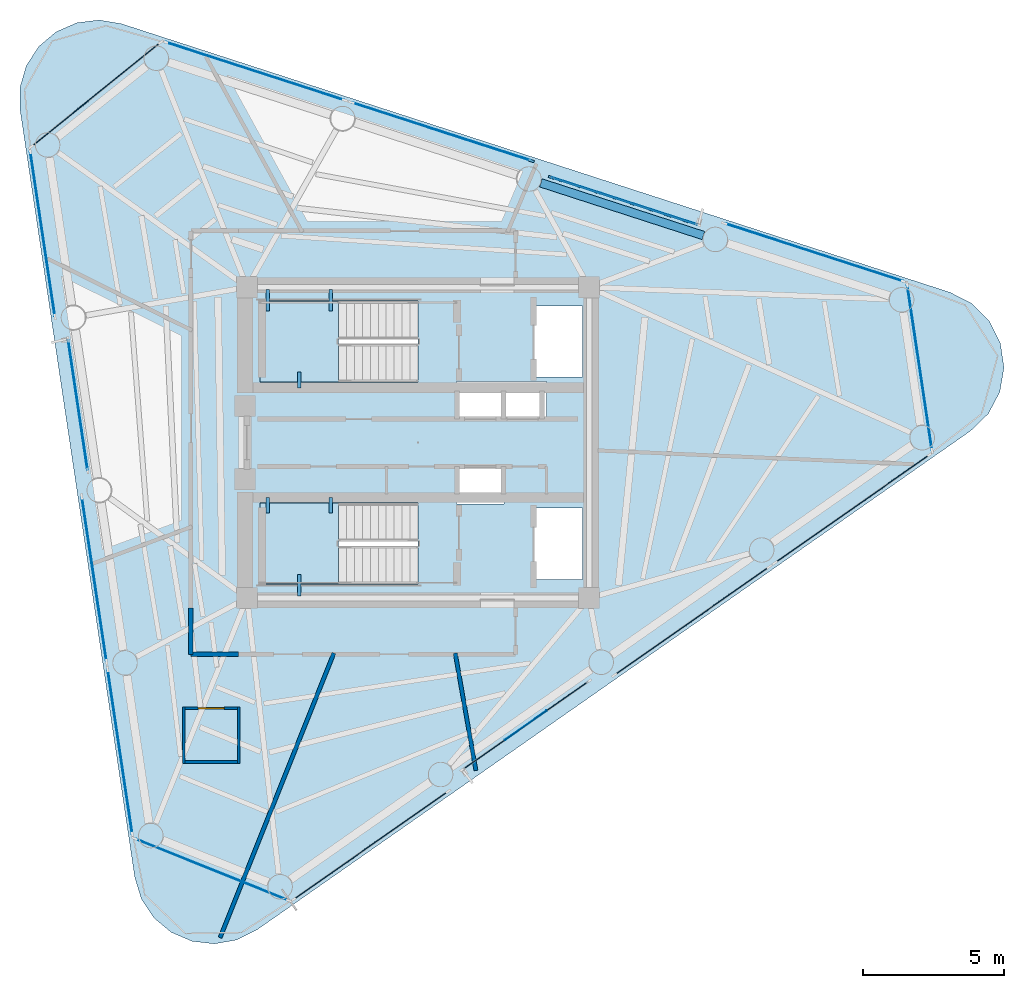
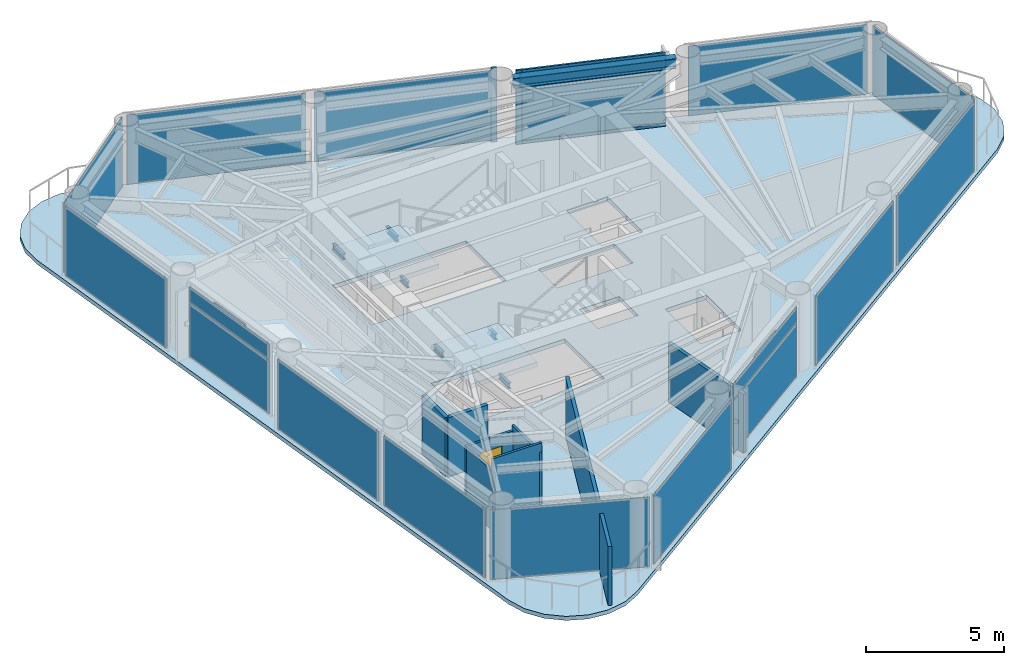
# One storey, part 4 of 9: 21 plates, 8 walls, 7 beams, 5 members, 3 slabs, 1 door, 1 opening, 17 elements without a shape of their own.
"""IFC4 building model written with IfcOpenShell, lengths in metres."""

from ifc_helpers import new_model, si_unit, direction, frame, frame_2d, origin, origin_2d, place, context, subcontext, project, spatial, polyline, rectangle, i_section, outline, extrude, source, transform, mapped, material, layer, layer_set, material_profile, profile_set, type_object, element, fill, aggregate, save


model = new_model("IFC4")

# Units and contexts
model_context = context("Model", 3, precision=1e-05, world=origin(), true_north=direction((0.0, 1.0)))
body_context = subcontext(model_context, "Body", "Model", "MODEL_VIEW")
ifc_project = project(units=[si_unit("LENGTHUNIT", "METRE"), si_unit("AREAUNIT", "SQUARE_METRE"), si_unit("VOLUMEUNIT", "CUBIC_METRE"), si_unit("PLANEANGLEUNIT", "RADIAN"), si_unit("MASSUNIT", "GRAM", prefix="KILO")], contexts=[model_context])

# Site, building, storey
site_placement = place(None, origin())
site = spatial("IfcSite", under=ifc_project, at=site_placement, CompositionType="ELEMENT")
building_placement = place(site_placement, origin())
building = spatial("IfcBuilding", under=site, at=building_placement, Name="Yunling Apex Tower", CompositionType="ELEMENT")
storey_placement = place(building_placement, frame((0.0, 0.0, 267.75)))
storey = spatial("IfcBuildingStorey", under=building, at=storey_placement, Name="L65", CompositionType="ELEMENT", Elevation=267.75)

# Beams
ifc_material_1 = material(Name="Steel Q355B", Category="steel")
ifc_material_profile_1 = material_profile(ifc_material_1, i_section(OverallWidth=0.125, OverallDepth=0.25, WebThickness=0.006103515625, FlangeThickness=0.009033203125, FilletRadius=0.011962890625, at=origin_2d()))
ifc_profile_set_1 = profile_set([ifc_material_profile_1], Name="Steel Q355B")
beam_type_1 = type_object("IfcBeamType", Name="BL-LNT-1", PredefinedType="LINTEL", material=ifc_profile_set_1)
shared_shape_1 = source(origin(), body_context, "Body", "SweptSolid", [
    extrude(i_section(OverallWidth=0.125, OverallDepth=0.25, WebThickness=0.006103515625, FlangeThickness=0.009033203125, FilletRadius=0.011962890625, at=origin_2d()), origin(), (0.0, 0.0, 1.0), 0.760009765625),
])
for number, where, z_axis, x_axis, name in (
    (1, (-5.320068359375, 5.419921875, 1.3798828125), (0.0, -1.0, 0.0), (1.0, 0.0, 0.0), "L65 ST-1 Landing Bearing Corbel 1-1"),
    (2, (-3.090087890625, 5.419921875, 1.3798828125), (0.0, -1.0, 0.0), (1.0, 0.0, 0.0), "L65 ST-1 Landing Bearing Corbel 1-2"),
    (3, (-4.205078125, -5.419921875, 1.3798828125), (0.0, 1.0, 0.0), (-1.0, 0.0, 0.0), "L65 ST-2 Landing Bearing Corbel 1-3"),
):
    element("IfcBeam", number, at=place(storey_placement, frame(where, z_axis=z_axis, x_axis=x_axis)), inside=storey, type_object=beam_type_1, Name=name, PredefinedType="LINTEL", context=body_context, shape_type="MappedRepresentation", body=[
        mapped(shared_shape_1, transform((0.0, 0.0, 0.0), scale=1.0)),
    ])
shared_shape_2 = source(origin(), body_context, "Body", "SweptSolid", [
    extrude(i_section(OverallWidth=0.125, OverallDepth=0.25, WebThickness=0.006103515625, FlangeThickness=0.009033203125, FilletRadius=0.011962890625, at=origin_2d()), origin(), (0.0, 0.0, 1.0), 0.550048828125),
])
for number, where, z_axis, x_axis, name in (
    (4, (-4.205078125, 1.93994140625, 1.3798828125), (0.0, 1.0, 0.0), (-1.0, 0.0, 0.0), "L65 ST-1 Landing Bearing Corbel 1-3"),
    (5, (-5.320068359375, -1.93994140625, 1.3798828125), (0.0, -1.0, 0.0), (1.0, 0.0, 0.0), "L65 ST-2 Landing Bearing Corbel 1-1"),
    (6, (-3.090087890625, -1.93994140625, 1.3798828125), (0.0, -1.0, 0.0), (1.0, 0.0, 0.0), "L65 ST-2 Landing Bearing Corbel 1-2"),
):
    element("IfcBeam", number, at=place(storey_placement, frame(where, z_axis=z_axis, x_axis=x_axis)), inside=storey, type_object=beam_type_1, Name=name, PredefinedType="LINTEL", context=body_context, shape_type="MappedRepresentation", body=[
        mapped(shared_shape_2, transform((0.0, 0.0, 0.0), scale=1.0)),
    ])
ifc_material_profile_2 = material_profile(ifc_material_1, i_section(OverallWidth=0.300048828125, OverallDepth=0.43994140625, WebThickness=0.010986328125, FlangeThickness=0.01806640625, FilletRadius=0.02197265625, at=origin_2d()))
ifc_profile_set_2 = profile_set([ifc_material_profile_2], Name="Steel Q355B")
beam_type_2 = type_object("IfcBeamType", Name="BP-SPN-3", PredefinedType="SPANDREL", material=ifc_profile_set_2)
shared_shape_3 = source(origin(), body_context, "Body", "SweptSolid", [
    extrude(i_section(OverallWidth=0.300048828125, OverallDepth=0.43994140625, WebThickness=0.010986328125, FlangeThickness=0.01806640625, FilletRadius=0.02197265625, at=origin_2d()), origin(), (0.0, 0.0, 1.0), 6.04345703125),
])
beam_placement = place(storey_placement, frame((10.09375, 7.326904296875, 3.0), z_axis=(-0.951272468705, 0.308351569289, 0.0), x_axis=(-0.308351569289, -0.951272468705, 0.0)))
element("IfcBeam", 7, at=beam_placement, inside=storey, type_object=beam_type_2, Name="L65 Perimeter Spandrel Beam 7", PredefinedType="SPANDREL", context=body_context, shape_type="MappedRepresentation", body=[
    mapped(shared_shape_3, transform((0.0, 0.0, 0.0), scale=1.0)),
])

# Curtain wall, member
ifc_material_2 = material(Name="Bronze anodised aluminium", Category="aluminium")
ifc_layer_1 = layer(ifc_material_2, 0.219970703125)
ifc_layer_set_1 = layer_set([ifc_layer_1], Name="Bronze anodised aluminium")
curtain_wall_type = type_object("IfcCurtainWallType", Name="CW-SYS-4", PredefinedType="NOTDEFINED", material=ifc_layer_set_1)
curtain_wall_1_placement = place(storey_placement, origin())
curtain_wall_1 = element("IfcCurtainWall", 8, at=curtain_wall_1_placement, inside=storey, type_object=curtain_wall_type, Name="CW-L65-F2-B2", PredefinedType="NOTDEFINED")
ifc_material_profile_3 = material_profile(ifc_material_2, rectangle(XDim=0.080078125, YDim=0.219970703125, at=origin_2d()))
ifc_profile_set_3 = profile_set([ifc_material_profile_3], Name="Bronze anodised aluminium")
member_type_1 = type_object("IfcMemberType", Name="CW-MUL-4", PredefinedType="MULLION", material=ifc_profile_set_3)
shared_shape_4 = source(origin(), body_context, "Body", "SweptSolid", [
    extrude(rectangle(XDim=0.080078125, YDim=0.219970703125, at=origin_2d()), origin(), (0.0, 0.0, 1.0), 3.320068359375),
])
member_1_placement = place(storey_placement, frame((4.71875, 9.384521484375, -0.050048828125), z_axis=(0.0, 0.0, 1.0), x_axis=(-0.30836941685, -0.951266683297, 0.0)))
member_1 = element("IfcMember", 9, at=member_1_placement, type_object=member_type_1, Name="CW-SYS-4 mullion 2", PredefinedType="MULLION", context=body_context, shape_type="MappedRepresentation", body=[
    mapped(shared_shape_4, transform((0.0, 0.0, 0.0), scale=1.0)),
])

curtain_wall_2_placement = place(storey_placement, origin())
curtain_wall_2 = element("IfcCurtainWall", 10, at=curtain_wall_2_placement, inside=storey, type_object=curtain_wall_type, Name="CW-L65-F2-B3", PredefinedType="NOTDEFINED")
member_2_placement = place(storey_placement, frame((4.00537109375, 9.97314453125, -0.050048828125), z_axis=(0.0, 0.0, 1.0), x_axis=(-0.308371076658, -0.95126614524, 0.0)))
member_2 = element("IfcMember", 11, at=member_2_placement, type_object=member_type_1, Name="CW-SYS-4 mullion 1", PredefinedType="MULLION", context=body_context, shape_type="MappedRepresentation", body=[
    mapped(shared_shape_4, transform((0.0, 0.0, 0.0), scale=1.0)),
])

# Member
ifc_material_profile_4 = material_profile(ifc_material_2, rectangle(XDim=0.080078125, YDim=0.169921875, at=origin_2d()))
ifc_profile_set_4 = profile_set([ifc_material_profile_4], Name="Bronze anodised aluminium")
member_type_2 = type_object("IfcMemberType", Name="CW-TRN-4", PredefinedType="USERDEFINED", material=ifc_profile_set_4)
shared_shape_5 = source(origin(), body_context, "Body", "SweptSolid", [
    extrude(rectangle(XDim=0.080078125, YDim=0.169921875, at=origin_2d()), origin(), (0.0, 0.0, 1.0), 5.3798828125),
])
member_3_placement = place(storey_placement, frame((9.87060546875, 7.71435546875, 0.0400390625), z_axis=(-0.951269238612, 0.308361534032, 0.0), x_axis=(-0.308361534032, -0.951269238612, 0.0)))
member_3 = element("IfcMember", 12, at=member_3_placement, type_object=member_type_2, Name="CW-SYS-4 transom 1.1", ObjectType="TRANSOM", PredefinedType="USERDEFINED", context=body_context, shape_type="MappedRepresentation", body=[
    mapped(shared_shape_5, transform((0.0, 0.0, 0.0), scale=1.0)),
])

member_4_placement = place(storey_placement, frame((9.87060546875, 7.71435546875, 2.447265625), z_axis=(-0.951269238612, 0.308361534032, 0.0), x_axis=(-0.308361534032, -0.951269238612, 0.0)))
member_4 = element("IfcMember", 13, at=member_4_placement, type_object=member_type_2, Name="CW-SYS-4 transom 1.2", ObjectType="TRANSOM", PredefinedType="USERDEFINED", context=body_context, shape_type="MappedRepresentation", body=[
    mapped(shared_shape_5, transform((0.0, 0.0, 0.0), scale=1.0)),
])

member_5_placement = place(storey_placement, frame((9.87060546875, 7.71435546875, 3.179931640625), z_axis=(-0.951269238612, 0.308361534032, 0.0), x_axis=(-0.308361534032, -0.951269238612, 0.0)))
member_5 = element("IfcMember", 14, at=member_5_placement, type_object=member_type_2, Name="CW-SYS-4 transom 1.3", ObjectType="TRANSOM", PredefinedType="USERDEFINED", context=body_context, shape_type="MappedRepresentation", body=[
    mapped(shared_shape_5, transform((0.0, 0.0, 0.0), scale=1.0)),
])

# Slab
ifc_material_3 = material(Name="Concrete C40", Category="concrete")
ifc_layer_2 = layer(ifc_material_3, 0.155029296875)
ifc_layer_set_2 = layer_set([ifc_layer_2], Name="Concrete C40")
slab_type_1 = type_object("IfcSlabType", Name="SL-FLR-3", PredefinedType="FLOOR", material=ifc_layer_set_2)
slab_1_placement = place(storey_placement, frame((0.0, 0.0, -0.179931640625)))
element("IfcSlab", 15, at=slab_1_placement, inside=storey, type_object=slab_type_1, Name="L65 Composite Tower Floor Slab", PredefinedType="FLOOR", context=body_context, shape_type="SweptSolid", body=[
    extrude(outline(polyline([(-10.026123046875, -15.378173828125), (-9.794189453125, -16.145263671875), (-9.352294921875, -16.81396484375), (-8.737548828125, -17.328125), (-8.001220703125, -17.64501953125), (-7.205078125, -17.7373046875), (-6.415771484375, -17.59814453125), (-5.69921875, -17.23876953125), (19.549072265625, 0.414306640625), (20.177490234375, 1.021728515625), (20.585205078125, 1.794921875), (20.731689453125, 2.656494140625), (20.6025390625, 3.52099609375), (20.21044921875, 4.302001953125), (19.594482421875, 4.922119140625), (18.81591796875, 5.3193359375), (-10.490478515625, 14.819091796875), (-11.280517578125, 14.95361328125), (-12.076171875, 14.855712890625), (-12.810302734375, 14.534423828125), (-13.422119140625, 14.016357421875), (-13.859619140625, 13.344970703125), (-14.086669921875, 12.576416015625), (-14.083984375, 11.77490234375), (-10.026123046875, -15.378173828125)]), holes=[polyline([(4.090087890625, 4.840087890625), (5.81005859375, 4.840087890625), (5.81005859375, 2.320068359375), (4.090087890625, 2.320068359375), (4.090087890625, 4.840087890625)]), polyline([(4.090087890625, -4.840087890625), (4.090087890625, -2.320068359375), (5.81005859375, -2.320068359375), (5.81005859375, -4.840087890625), (4.090087890625, -4.840087890625)]), polyline([(4.534912109375, 0.794921875), (1.364990234375, 0.794921875), (1.364990234375, 2.1650390625), (4.534912109375, 2.1650390625), (4.534912109375, 0.794921875)]), polyline([(1.364990234375, -0.794921875), (3.034912109375, -0.794921875), (3.034912109375, -2.1650390625), (1.364990234375, -2.1650390625), (1.364990234375, -0.794921875)]), polyline([(-0.010009765625, -5.010009765625), (-5.60009765625, -5.010009765625), (-5.60009765625, -2.139892578125), (-0.010009765625, -2.139892578125), (-0.010009765625, -5.010009765625)]), polyline([(-0.010009765625, 2.139892578125), (-5.60009765625, 2.139892578125), (-5.60009765625, 5.010009765625), (-0.010009765625, 5.010009765625), (-0.010009765625, 2.139892578125)])]), origin(), (0.0, 0.0, 1.0), 0.179931640625),
])

# Stair, slab
stair_type = type_object("IfcStairType", Name="ST-TWR-3", PredefinedType="HALF_TURN_STAIR", material=ifc_material_3)
stair_1_placement = place(storey_placement, origin())
stair_1 = element("IfcStair", 16, at=stair_1_placement, inside=storey, type_object=stair_type, Name="L65 North Core Smokeproof Exit Stair ST-1", PredefinedType="HALF_TURN_STAIR")
ifc_layer_3 = layer(ifc_material_3, 0.195068359375)
ifc_layer_set_3 = layer_set([ifc_layer_3], Name="Concrete C40")
slab_type_2 = type_object("IfcSlabType", Name="SL-LND-1", PredefinedType="LANDING", material=ifc_layer_set_3)
slab_2_placement = place(storey_placement, frame((0.0, 0.0, 1.5048828125)))
slab_2 = element("IfcSlab", 17, at=slab_2_placement, type_object=slab_type_2, Name="ST-1 landing 1", PredefinedType="LANDING", context=body_context, shape_type="SweptSolid", body=[
    extrude(outline(polyline([(-2.81005859375, 5.010009765625), (-5.60009765625, 5.010009765625), (-5.60009765625, 2.139892578125), (-2.81005859375, 2.139892578125), (-2.81005859375, 5.010009765625)])), origin(), (0.0, 0.0, 1.0), 0.195068359375),
])
aggregate(stair_1, [slab_2])

stair_2_placement = place(storey_placement, origin())
stair_2 = element("IfcStair", 18, at=stair_2_placement, inside=storey, type_object=stair_type, Name="L65 South Core Smokeproof Exit Stair ST-2", PredefinedType="HALF_TURN_STAIR")
slab_3_placement = place(storey_placement, frame((0.0, 0.0, 1.5048828125)))
slab_3 = element("IfcSlab", 19, at=slab_3_placement, type_object=slab_type_2, Name="ST-2 landing 1", PredefinedType="LANDING", context=body_context, shape_type="SweptSolid", body=[
    extrude(outline(polyline([(-2.81005859375, -2.139892578125), (-5.60009765625, -2.139892578125), (-5.60009765625, -5.010009765625), (-2.81005859375, -5.010009765625), (-2.81005859375, -2.139892578125)])), origin(), (0.0, 0.0, 1.0), 0.195068359375),
])
aggregate(stair_2, [slab_3])

# Plates
ifc_layer_4 = layer(ifc_material_2, 0.011962890625)
ifc_layer_set_4 = layer_set([ifc_layer_4], Name="Bronze anodised aluminium")
plate_type_1 = type_object("IfcPlateType", Name="SP-SHT-1", PredefinedType="SHEET", material=ifc_layer_set_4)
shared_shape_6 = source(origin(), body_context, "Body", "SweptSolid", [
    extrude(rectangle(XDim=1.800048828125, YDim=0.02392578125, at=origin_2d()), origin(), (0.0, 0.0, 1.0), 0.43994140625),
])
for number, where, z_axis, x_axis, name in (
    (20, (3.809326171875, -10.0048828125, 2.820068359375), (0.0, 0.0, 1.0), (0.819552276527, 0.573004420611, 0.0), "SP-GRV-L65-F1"),
    (21, (7.311767578125, 8.5439453125, 2.820068359375), (0.0, 0.0, 1.0), (-0.951272019071, 0.30835295642, 0.0), "SP-GRV-L65-F2"),
    (22, (-12.036865234375, 1.323974609375, 2.820068359375), (0.0, 0.0, 1.0), (0.14780941113, -0.989015863362, 0.0), "SP-GRV-L65-F3"),
):
    element("IfcPlate", number, at=place(storey_placement, frame(where, z_axis=z_axis, x_axis=x_axis)), inside=storey, type_object=plate_type_1, Name=name, PredefinedType="SHEET", context=body_context, shape_type="MappedRepresentation", body=[
        mapped(shared_shape_6, transform((0.0, 0.0, 0.0), scale=1.0)),
    ])

# Curtain wall, plate
curtain_wall_3_placement = place(storey_placement, origin())
curtain_wall_3 = element("IfcCurtainWall", 23, at=curtain_wall_3_placement, inside=storey, type_object=curtain_wall_type, Name="CW-L65-F1-B1", PredefinedType="NOTDEFINED")
ifc_material_4 = material(Name="Bronze tinted low-E glass", Category="glass")
ifc_layer_5 = layer(ifc_material_4, 0.030029296875)
ifc_layer_set_5 = layer_set([ifc_layer_5], Name="Bronze tinted low-E glass")
plate_type_2 = type_object("IfcPlateType", Name="CW-PNL-4", PredefinedType="CURTAIN_PANEL", material=ifc_layer_set_5)
shared_shape_7 = source(origin(), body_context, "Body", "SweptSolid", [
    extrude(rectangle(XDim=6.627685546875, YDim=0.030029296875, at=origin_2d()), origin(), (0.0, 0.0, 1.0), 3.075927734375),
])
plate_1_placement = place(storey_placement, frame((-1.6767578125, -14.25537109375, 0.072265625), z_axis=(0.0, 0.0, 1.0), x_axis=(0.819555084976, 0.573000403744, 0.0)))
plate_1 = element("IfcPlate", 24, at=plate_1_placement, type_object=plate_type_2, Name="CW-SYS-4 panel 1.1", PredefinedType="CURTAIN_PANEL", context=body_context, shape_type="MappedRepresentation", body=[
    mapped(shared_shape_7, transform((0.0, 0.0, 0.0), scale=1.0)),
])
aggregate(curtain_wall_3, [plate_1])

curtain_wall_4_placement = place(storey_placement, origin())
curtain_wall_4 = element("IfcCurtainWall", 25, at=curtain_wall_4_placement, inside=storey, type_object=curtain_wall_type, Name="CW-L65-F1-B3", PredefinedType="NOTDEFINED")
plate_2_placement = place(storey_placement, frame((9.68505859375, -6.3115234375, 0.072265625), z_axis=(0.0, 0.0, 1.0), x_axis=(0.81954815017, 0.573010322379, 0.0)))
plate_2 = element("IfcPlate", 26, at=plate_2_placement, type_object=plate_type_2, Name="CW-SYS-4 panel 1.1", PredefinedType="CURTAIN_PANEL", context=body_context, shape_type="MappedRepresentation", body=[
    mapped(shared_shape_7, transform((0.0, 0.0, 0.0), scale=1.0)),
])
aggregate(curtain_wall_4, [plate_2])

curtain_wall_5_placement = place(storey_placement, origin())
curtain_wall_5 = element("IfcCurtainWall", 27, at=curtain_wall_5_placement, inside=storey, type_object=curtain_wall_type, Name="CW-L65-F1-B4", PredefinedType="NOTDEFINED")
plate_3_placement = place(storey_placement, frame((15.365966796875, -2.339599609375, 0.072265625), z_axis=(0.0, 0.0, 1.0), x_axis=(0.819555084976, 0.573000403744, 0.0)))
plate_3 = element("IfcPlate", 28, at=plate_3_placement, type_object=plate_type_2, Name="CW-SYS-4 panel 1.1", PredefinedType="CURTAIN_PANEL", context=body_context, shape_type="MappedRepresentation", body=[
    mapped(shared_shape_7, transform((0.0, 0.0, 0.0), scale=1.0)),
])
aggregate(curtain_wall_5, [plate_3])

curtain_wall_6_placement = place(storey_placement, origin())
curtain_wall_6 = element("IfcCurtainWall", 29, at=curtain_wall_6_placement, inside=storey, type_object=curtain_wall_type, Name="CW-L65-F2-B1", PredefinedType="NOTDEFINED")
plate_4_placement = place(storey_placement, frame((14.010498046875, 6.72998046875, 0.072265625), z_axis=(0.0, 0.0, 1.0), x_axis=(-0.951271881173, 0.308353381834, 0.0)))
plate_4 = element("IfcPlate", 30, at=plate_4_placement, type_object=plate_type_2, Name="CW-SYS-4 panel 1.1", PredefinedType="CURTAIN_PANEL", context=body_context, shape_type="MappedRepresentation", body=[
    mapped(shared_shape_7, transform((0.0, 0.0, 0.0), scale=1.0)),
])
aggregate(curtain_wall_6, [plate_4])

# Plate
plate_5_placement = place(storey_placement, frame((0.82275390625, 11.0048828125, 0.072265625), z_axis=(0.0, 0.0, 1.0), x_axis=(-0.95126614524, 0.308371076658, 0.0)))
plate_5 = element("IfcPlate", 31, at=plate_5_placement, type_object=plate_type_2, Name="CW-SYS-4 panel 1.1", PredefinedType="CURTAIN_PANEL", context=body_context, shape_type="MappedRepresentation", body=[
    mapped(shared_shape_7, transform((0.0, 0.0, 0.0), scale=1.0)),
])

aggregate(curtain_wall_2, [member_2, plate_5])

# Curtain wall, plate
curtain_wall_7_placement = place(storey_placement, origin())
curtain_wall_7 = element("IfcCurtainWall", 32, at=curtain_wall_7_placement, inside=storey, type_object=curtain_wall_type, Name="CW-L65-F2-B4", PredefinedType="NOTDEFINED")
plate_6_placement = place(storey_placement, frame((-5.771240234375, 13.142333984375, 0.072265625), z_axis=(0.0, 0.0, 1.0), x_axis=(-0.951271881173, 0.308353381834, 0.0)))
plate_6 = element("IfcPlate", 33, at=plate_6_placement, type_object=plate_type_2, Name="CW-SYS-4 panel 1.1", PredefinedType="CURTAIN_PANEL", context=body_context, shape_type="MappedRepresentation", body=[
    mapped(shared_shape_7, transform((0.0, 0.0, 0.0), scale=1.0)),
])
aggregate(curtain_wall_7, [plate_6])

curtain_wall_8_placement = place(storey_placement, origin())
curtain_wall_8 = element("IfcCurtainWall", 34, at=curtain_wall_8_placement, inside=storey, type_object=curtain_wall_type, Name="CW-L65-F1-B2", PredefinedType="NOTDEFINED")
shared_shape_8 = source(origin(), body_context, "Body", "SweptSolid", [
    extrude(rectangle(XDim=5.3876953125, YDim=0.030029296875, at=origin_2d()), origin(), (0.0, 0.0, 1.0), 2.34326171875),
])
plate_7_placement = place(storey_placement, frame((3.809326171875, -10.0048828125, 0.072021484375), z_axis=(0.0, 0.0, 1.0), x_axis=(0.819556211708, 0.57299879219, 0.0)))
plate_7 = element("IfcPlate", 35, at=plate_7_placement, type_object=plate_type_2, Name="CW-SYS-4 panel 1.1", PredefinedType="CURTAIN_PANEL", context=body_context, shape_type="MappedRepresentation", body=[
    mapped(shared_shape_8, transform((0.0, 0.0, 0.0), scale=1.0)),
])

# Plate
plate_8_placement = place(storey_placement, frame((7.311767578125, 8.5439453125, 0.072021484375), z_axis=(0.0, 0.0, 1.0), x_axis=(-0.951266683297, 0.30836941685, 0.0)))
plate_8 = element("IfcPlate", 36, at=plate_8_placement, type_object=plate_type_2, Name="CW-SYS-4 panel 1.1", PredefinedType="CURTAIN_PANEL", context=body_context, shape_type="MappedRepresentation", body=[
    mapped(shared_shape_8, transform((0.0, 0.0, 0.0), scale=1.0)),
])

shared_shape_9 = source(origin(), body_context, "Body", "SweptSolid", [
    extrude(rectangle(XDim=5.3876953125, YDim=0.030029296875, at=origin_2d()), origin(), (0.0, 0.0, 1.0), 0.668701171875),
])
plate_9_placement = place(storey_placement, frame((3.809326171875, -10.0048828125, 2.4794921875), z_axis=(0.0, 0.0, 1.0), x_axis=(0.819556211708, 0.57299879219, 0.0)))
plate_9 = element("IfcPlate", 37, at=plate_9_placement, type_object=plate_type_2, Name="CW-SYS-4 panel 1.2", PredefinedType="CURTAIN_PANEL", context=body_context, shape_type="MappedRepresentation", body=[
    mapped(shared_shape_9, transform((0.0, 0.0, 0.0), scale=1.0)),
])

aggregate(curtain_wall_8, [plate_7, plate_9])

plate_10_placement = place(storey_placement, frame((7.311767578125, 8.5439453125, 2.4794921875), z_axis=(0.0, 0.0, 1.0), x_axis=(-0.951266683297, 0.30836941685, 0.0)))
plate_10 = element("IfcPlate", 38, at=plate_10_placement, type_object=plate_type_2, Name="CW-SYS-4 panel 1.2", PredefinedType="CURTAIN_PANEL", context=body_context, shape_type="MappedRepresentation", body=[
    mapped(shared_shape_9, transform((0.0, 0.0, 0.0), scale=1.0)),
])

aggregate(curtain_wall_1, [member_1, member_3, member_4, member_5, plate_8, plate_10])

# Curtain wall, plate
curtain_wall_9_placement = place(storey_placement, origin())
curtain_wall_9 = element("IfcCurtainWall", 39, at=curtain_wall_9_placement, inside=storey, type_object=curtain_wall_type, Name="CW-L65-CRN1", PredefinedType="NOTDEFINED")
shared_shape_10 = source(origin(), body_context, "Body", "SweptSolid", [
    extrude(rectangle(XDim=5.90185546875, YDim=0.030029296875, at=origin_2d()), origin(), (0.0, 0.0, 1.0), 3.075927734375),
])
plate_11_placement = place(storey_placement, frame((17.748291015625, 2.65234375, 0.072265625), z_axis=(0.0, 0.0, 1.0), x_axis=(-0.147802573571, 0.989016885218, 0.0)))
plate_11 = element("IfcPlate", 40, at=plate_11_placement, type_object=plate_type_2, Name="CW-SYS-4 panel 1.1", PredefinedType="CURTAIN_PANEL", context=body_context, shape_type="MappedRepresentation", body=[
    mapped(shared_shape_10, transform((0.0, 0.0, 0.0), scale=1.0)),
])
aggregate(curtain_wall_9, [plate_11])

curtain_wall_10_placement = place(storey_placement, origin())
curtain_wall_10 = element("IfcCurtainWall", 41, at=curtain_wall_10_placement, inside=storey, type_object=curtain_wall_type, Name="CW-L65-CRN2", PredefinedType="NOTDEFINED")
shared_shape_11 = source(origin(), body_context, "Body", "SweptSolid", [
    extrude(rectangle(XDim=5.829345703125, YDim=0.030029296875, at=origin_2d()), origin(), (0.0, 0.0, 1.0), 3.075927734375),
])
plate_12_placement = place(storey_placement, frame((-11.398681640625, 12.31640625, 0.072265625), z_axis=(0.0, 0.0, 1.0), x_axis=(-0.778222477019, -0.627988675266, 0.0)))
plate_12 = element("IfcPlate", 42, at=plate_12_placement, type_object=plate_type_2, Name="CW-SYS-4 panel 1.1", PredefinedType="CURTAIN_PANEL", context=body_context, shape_type="MappedRepresentation", body=[
    mapped(shared_shape_11, transform((0.0, 0.0, 0.0), scale=1.0)),
])
aggregate(curtain_wall_10, [plate_12])

curtain_wall_11_placement = place(storey_placement, origin())
curtain_wall_11 = element("IfcCurtainWall", 43, at=curtain_wall_11_placement, inside=storey, type_object=curtain_wall_type, Name="CW-L65-CRN3", PredefinedType="NOTDEFINED")
plate_13_placement = place(storey_placement, frame((-7.2998046875, -15.11083984375, 0.072265625), z_axis=(0.0, 0.0, 1.0), x_axis=(0.927827569859, -0.373009384078, 0.0)))
plate_13 = element("IfcPlate", 44, at=plate_13_placement, type_object=plate_type_2, Name="CW-SYS-4 panel 1.1", PredefinedType="CURTAIN_PANEL", context=body_context, shape_type="MappedRepresentation", body=[
    mapped(shared_shape_11, transform((0.0, 0.0, 0.0), scale=1.0)),
])
aggregate(curtain_wall_11, [plate_13])

curtain_wall_12_placement = place(storey_placement, origin())
curtain_wall_12 = element("IfcCurtainWall", 45, at=curtain_wall_12_placement, inside=storey, type_object=curtain_wall_type, Name="CW-L65-F3-B1", PredefinedType="NOTDEFINED")
shared_shape_12 = source(origin(), body_context, "Body", "SweptSolid", [
    extrude(rectangle(XDim=5.873291015625, YDim=0.030029296875, at=origin_2d()), origin(), (0.0, 0.0, 1.0), 3.075927734375),
])
plate_14_placement = place(storey_placement, frame((-13.2861328125, 7.38330078125, 0.072265625), z_axis=(0.0, 0.0, 1.0), x_axis=(0.147807330522, -0.989016174309, 0.0)))
plate_14 = element("IfcPlate", 46, at=plate_14_placement, type_object=plate_type_2, Name="CW-SYS-4 panel 1.1", PredefinedType="CURTAIN_PANEL", context=body_context, shape_type="MappedRepresentation", body=[
    mapped(shared_shape_12, transform((0.0, 0.0, 0.0), scale=1.0)),
])
aggregate(curtain_wall_12, [plate_14])

curtain_wall_13_placement = place(storey_placement, origin())
curtain_wall_13 = element("IfcCurtainWall", 47, at=curtain_wall_13_placement, inside=storey, type_object=curtain_wall_type, Name="CW-L65-F3-B3", PredefinedType="NOTDEFINED")
plate_15_placement = place(storey_placement, frame((-11.460205078125, -4.835693359375, 0.072265625), z_axis=(0.0, 0.0, 1.0), x_axis=(0.147807330522, -0.989016174309, 0.0)))
plate_15 = element("IfcPlate", 48, at=plate_15_placement, type_object=plate_type_2, Name="CW-SYS-4 panel 1.1", PredefinedType="CURTAIN_PANEL", context=body_context, shape_type="MappedRepresentation", body=[
    mapped(shared_shape_12, transform((0.0, 0.0, 0.0), scale=1.0)),
])
aggregate(curtain_wall_13, [plate_15])

curtain_wall_14_placement = place(storey_placement, origin())
curtain_wall_14 = element("IfcCurtainWall", 49, at=curtain_wall_14_placement, inside=storey, type_object=curtain_wall_type, Name="CW-L65-F3-B4", PredefinedType="NOTDEFINED")
plate_16_placement = place(storey_placement, frame((-10.547119140625, -10.945068359375, 0.072265625), z_axis=(0.0, 0.0, 1.0), x_axis=(0.147791074763, -0.989018603576, 0.0)))
plate_16 = element("IfcPlate", 50, at=plate_16_placement, type_object=plate_type_2, Name="CW-SYS-4 panel 1.1", PredefinedType="CURTAIN_PANEL", context=body_context, shape_type="MappedRepresentation", body=[
    mapped(shared_shape_12, transform((0.0, 0.0, 0.0), scale=1.0)),
])
aggregate(curtain_wall_14, [plate_16])

# Curtain wall, plates
curtain_wall_15_placement = place(storey_placement, origin())
curtain_wall_15 = element("IfcCurtainWall", 51, at=curtain_wall_15_placement, inside=storey, type_object=curtain_wall_type, Name="CW-L65-F3-B2", PredefinedType="NOTDEFINED")
shared_shape_13 = source(origin(), body_context, "Body", "SweptSolid", [
    extrude(rectangle(XDim=4.63330078125, YDim=0.030029296875, at=origin_2d()), origin(), (0.0, 0.0, 1.0), 2.34326171875),
])
plate_17_placement = place(storey_placement, frame((-12.036865234375, 1.323974609375, 0.072021484375), z_axis=(0.0, 0.0, 1.0), x_axis=(0.147804068926, -0.989016661745, 0.0)))
plate_17 = element("IfcPlate", 52, at=plate_17_placement, type_object=plate_type_2, Name="CW-SYS-4 panel 1.1", PredefinedType="CURTAIN_PANEL", context=body_context, shape_type="MappedRepresentation", body=[
    mapped(shared_shape_13, transform((0.0, 0.0, 0.0), scale=1.0)),
])
shared_shape_14 = source(origin(), body_context, "Body", "SweptSolid", [
    extrude(rectangle(XDim=4.63330078125, YDim=0.030029296875, at=origin_2d()), origin(), (0.0, 0.0, 1.0), 0.668701171875),
])
plate_18_placement = place(storey_placement, frame((-12.036865234375, 1.323974609375, 2.4794921875), z_axis=(0.0, 0.0, 1.0), x_axis=(0.147804068926, -0.989016661745, 0.0)))
plate_18 = element("IfcPlate", 53, at=plate_18_placement, type_object=plate_type_2, Name="CW-SYS-4 panel 1.2", PredefinedType="CURTAIN_PANEL", context=body_context, shape_type="MappedRepresentation", body=[
    mapped(shared_shape_14, transform((0.0, 0.0, 0.0), scale=1.0)),
])
aggregate(curtain_wall_15, [plate_17, plate_18])

# Walls
ifc_material_5 = material(Name="Gypsum board acoustic partition")
ifc_layer_6 = layer(ifc_material_5, 0.159912109375)
ifc_layer_set_6 = layer_set([ifc_layer_6], Name="Gypsum board acoustic partition")
wall_type_1 = type_object("IfcWallType", Name="WL-PRT-1", PredefinedType="PARTITIONING", material=ifc_layer_set_6)
wall_1_placement = place(storey_placement, frame((-6.360107421875, -7.489990234375, 0.0), z_axis=(0.0, 0.0, 1.0), x_axis=(-1.0, 0.0, 0.0)))
element("IfcWall", 54, at=wall_1_placement, inside=storey, type_object=wall_type_1, Name="WL-CORR-L65-07", PredefinedType="PARTITIONING", context=body_context, shape_type="SweptSolid", body=[
    extrude(rectangle(XDim=1.679931640625, YDim=0.159912109375, at=frame_2d((0.83984375, 0.0))), origin(), (0.0, 0.0, 1.0), 2.60498046875),
])
wall_2_placement = place(storey_placement, frame((-8.0400390625, -7.489990234375, 0.0), z_axis=(0.0, 0.0, 1.0), x_axis=(0.0, 1.0, 0.0)))
element("IfcWall", 55, at=wall_2_placement, inside=storey, type_object=wall_type_1, Name="WL-CORR-L65-08", PredefinedType="PARTITIONING", context=body_context, shape_type="SweptSolid", body=[
    extrude(rectangle(XDim=1.639892578125, YDim=0.159912109375, at=frame_2d((0.81982421875, 0.0))), origin(), (0.0, 0.0, 1.0), 2.60498046875),
])
ifc_layer_7 = layer(ifc_material_5, 0.139892578125)
ifc_layer_set_7 = layer_set([ifc_layer_7], Name="Gypsum board acoustic partition")
wall_type_2 = type_object("IfcWallType", Name="WL-PRT-2", PredefinedType="PARTITIONING", material=ifc_layer_set_7)
wall_3_placement = place(storey_placement, frame((-2.979736328125, -7.449951171875, 0.0), z_axis=(0.0, 0.0, 1.0), x_axis=(-0.37136350778, -0.928487557854, 0.0)))
element("IfcWall", 56, at=wall_3_placement, inside=storey, type_object=wall_type_2, Name="WL-RAD-L65-06", PredefinedType="PARTITIONING", context=body_context, shape_type="SweptSolid", body=[
    extrude(rectangle(XDim=10.845458984375, YDim=0.139892578125, at=frame_2d((5.4228515625, 0.0))), origin(), (0.0, 0.0, 1.0), 2.60498046875),
])
wall_4_placement = place(storey_placement, frame((1.313720703125, -7.449951171875, 0.0), z_axis=(0.0, 0.0, 1.0), x_axis=(0.17364664795, -0.984808022741, 0.0)))
element("IfcWall", 57, at=wall_4_placement, inside=storey, type_object=wall_type_2, Name="WL-RAD-L65-07", PredefinedType="PARTITIONING", context=body_context, shape_type="SweptSolid", body=[
    extrude(rectangle(XDim=4.2177734375, YDim=0.139892578125, at=frame_2d((2.10888671875, 0.0))), origin(), (0.0, 0.0, 1.0), 2.60498046875),
])

# Wall, opening, door
ifc_layer_8 = layer(ifc_material_5, 0.10009765625)
ifc_layer_set_8 = layer_set([ifc_layer_8], Name="Gypsum board acoustic partition")
wall_type_3 = type_object("IfcWallType", Name="WL-PRT-4", PredefinedType="PARTITIONING", material=ifc_layer_set_8)
wall_5_placement = place(storey_placement, frame((-8.344970703125, -9.40087890625, 0.0), z_axis=(0.0, 0.0, 1.0), x_axis=(1.0, 0.0, 0.0)))
wall_5 = element("IfcWall", 58, at=wall_5_placement, inside=storey, type_object=wall_type_3, Name="WL-L65-RWC1N", PredefinedType="PARTITIONING", context=body_context, shape_type="SweptSolid", body=[
    extrude(rectangle(XDim=2.050048828125, YDim=0.10009765625, at=frame_2d((1.02490234375, 0.0))), origin(), (0.0, 0.0, 1.0), 2.60498046875),
])
opening_placement = place(wall_5_placement, frame((0.56494140625, 0.0, 0.0)))
opening = element("IfcOpeningElement", 59, at=opening_placement, cuts=wall_5, Name="Opening DR-WC-1", PredefinedType="OPENING", context=body_context, shape_type="SweptSolid", body=[
    extrude(rectangle(XDim=0.919921875, YDim=2.10009765625, at=frame_2d((0.4599609375, 1.050048828125))), frame((0.0, 0.06005859375, 0.0), z_axis=(0.0, -1.0, 0.0), x_axis=(1.0, 0.0, 0.0)), (0.0, 0.0, 1.0), 0.1201171875),
])
ifc_material_6 = material(Name="Timber moisture-resistant leaf", Category="wood")
door_type = type_object("IfcDoorType", Name="DR-WC-1", OperationType="NOTDEFINED", PredefinedType="DOOR", material=ifc_material_6)
door_placement = place(opening_placement, origin())
door = element("IfcDoor", 60, at=door_placement, inside=storey, type_object=door_type, Name="L65 Accessible WC Door", OperationType="SINGLE_SWING_LEFT", OverallHeight=2.10009765625, OverallWidth=0.919921875, PredefinedType="DOOR", context=body_context, shape_type="SweptSolid", body=[
    extrude(rectangle(XDim=0.919921875, YDim=2.10009765625, at=frame_2d((0.4599609375, 1.050048828125))), frame((0.0, 0.02490234375, 0.0), z_axis=(0.0, -1.0, 0.0), x_axis=(1.0, 0.0, 0.0)), (0.0, 0.0, 1.0), 0.050048828125),
])
fill(opening, door)

# Walls
wall_6_placement = place(storey_placement, frame((-6.294921875, -11.301025390625, 0.0), z_axis=(0.0, 0.0, 1.0), x_axis=(-1.0, 0.0, 0.0)))
element("IfcWall", 61, at=wall_6_placement, inside=storey, type_object=wall_type_3, Name="WL-L65-RWC1S", PredefinedType="PARTITIONING", context=body_context, shape_type="SweptSolid", body=[
    extrude(rectangle(XDim=2.050048828125, YDim=0.10009765625, at=frame_2d((1.02490234375, 0.0))), origin(), (0.0, 0.0, 1.0), 3.199951171875),
])
wall_7_placement = place(storey_placement, frame((-6.344970703125, -9.35107421875, 0.0), z_axis=(0.0, 0.0, 1.0), x_axis=(0.0, -1.0, 0.0)))
element("IfcWall", 62, at=wall_7_placement, inside=storey, type_object=wall_type_3, Name="WL-L65-RWC1E", PredefinedType="PARTITIONING", context=body_context, shape_type="SweptSolid", body=[
    extrude(rectangle(XDim=2.0, YDim=0.10009765625, at=frame_2d((1.0, 0.0))), origin(), (0.0, 0.0, 1.0), 2.804931640625),
])
wall_8_placement = place(storey_placement, frame((-8.294921875, -11.35107421875, 0.0), z_axis=(0.0, 0.0, 1.0), x_axis=(0.0, 1.0, 0.0)))
element("IfcWall", 63, at=wall_8_placement, inside=storey, type_object=wall_type_3, Name="WL-L65-RWC1W", PredefinedType="PARTITIONING", context=body_context, shape_type="SweptSolid", body=[
    extrude(rectangle(XDim=2.0, YDim=0.10009765625, at=frame_2d((1.0, 0.0))), origin(), (0.0, 0.0, 1.0), 2.60498046875),
])

save(model, "model.ifc")
